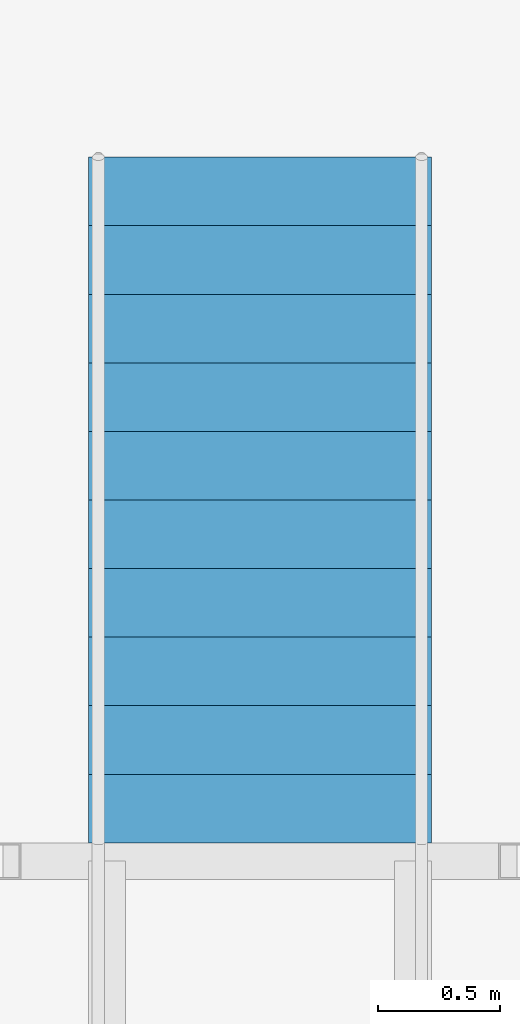
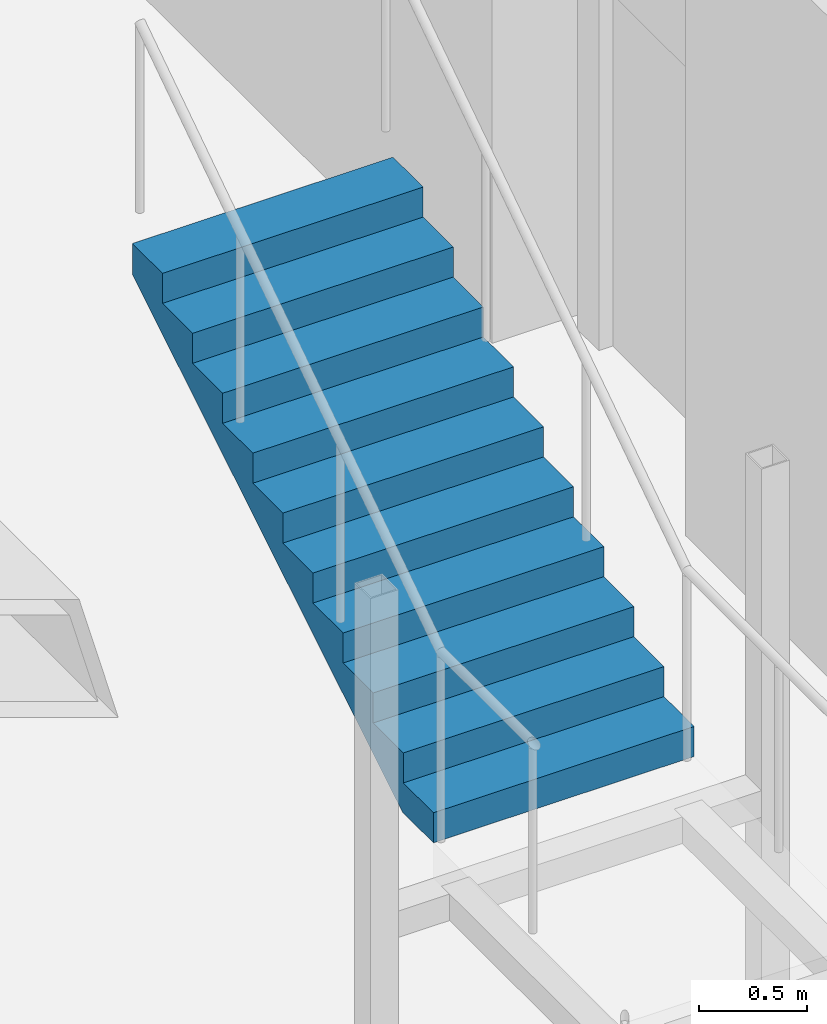
# One storey, part 27 of 28: 1 stair flight, 1 element without a shape of its own.
"""IFC4 building model written with IfcOpenShell, lengths in metres."""

from ifc_helpers import new_model, si_unit, direction, frame, origin, place, context, subcontext, project, spatial, triangles, material, type_object, element, aggregate, save


model = new_model("IFC4")

# Units and contexts
model_context = context("Model", 3, precision=1e-05, world=origin(), true_north=direction((0.0, 1.0)))
body_context = subcontext(model_context, "Body", "Model", "MODEL_VIEW")
ifc_project = project(units=[si_unit("LENGTHUNIT", "METRE"), si_unit("AREAUNIT", "SQUARE_METRE"), si_unit("VOLUMEUNIT", "CUBIC_METRE"), si_unit("PLANEANGLEUNIT", "RADIAN"), si_unit("MASSUNIT", "GRAM", prefix="KILO")], contexts=[model_context])

# Site, building, storey
site_placement = place(None, origin())
site = spatial("IfcSite", under=ifc_project, at=site_placement, CompositionType="ELEMENT")
building_placement = place(site_placement, origin())
building = spatial("IfcBuilding", under=site, at=building_placement, Name="Orbita Commons", CompositionType="ELEMENT")
storey_placement = place(building_placement, frame((0.0, 0.0, 23.949951171875)))
storey = spatial("IfcBuildingStorey", under=building, at=storey_placement, Name="L05", CompositionType="ELEMENT", Elevation=23.949951171875)

# Stair, stair flight
ifc_material_1 = material(Name="Steel ASTM A992 stringers, precast concrete C40/50 terrazzo treads", Category="concrete")
stair_type = type_object("IfcStairType", Name="Feature stair 22 risers 170 x 280 x 1400", PredefinedType="STRAIGHT_RUN_STAIR", material=ifc_material_1)
stair_placement = place(storey_placement, origin())
stair = element("IfcStair", 1, at=stair_placement, inside=storey, type_object=stair_type, Name="Neighbourhood stair L05 to L06", PredefinedType="STRAIGHT_RUN_STAIR")
ifc_material_2 = material(Name="Steel ASTM A992 stringers, precast concrete C40/50 terrazzo treads", Category="concrete")
stair_flight_type = type_object("IfcStairFlightType", Name="Feature stair flight 11 risers 170 x 1400", PredefinedType="STRAIGHT", material=ifc_material_2)
stair_flight_placement = place(storey_placement, frame((8.60009765625, 45.31005859375, 1.875), z_axis=(0.0, 0.0, 1.0), x_axis=(0.0, 1.0, 0.0)))
stair_flight = element("IfcStairFlight", 2, at=stair_flight_placement, type_object=stair_flight_type, Name="FS flight 2", NumberOfRisers=11, NumberOfTreads=10, PredefinedType="STRAIGHT", RiserHeight=0.170454545, TreadLength=0.28, context=body_context, shape_type="Tessellation", body=[
    triangles([(0.0, 0.699951, 0.0), (0.0, 0.699951, 0.021307), (0.0, 0.583293, 0.021307), (0.0, 0.583293, 0.0), (0.0, 0.466634, 0.021307), (0.0, 0.466634, 0.0), (0.0, 0.349976, 0.021307), (0.0, 0.349976, 0.0), (0.0, 0.233317, 0.021307), (0.0, 0.233317, 0.0), (0.0, 0.116659, 0.021307), (0.0, 0.116659, 0.0), (0.0, 0.0, 0.021307), (0.0, 0.0, 0.0), (0.0, -0.116659, 0.021307), (0.0, -0.116659, 0.0), (0.0, -0.233317, 0.021307), (0.0, -0.233317, 0.0), (0.0, -0.349976, 0.021307), (0.0, -0.349976, 0.0), (0.0, -0.466634, 0.021307), (0.0, -0.466634, 0.0), (0.0, -0.583293, 0.021307), (0.0, -0.583293, 0.0), (0.0, -0.699951, 0.021307), (0.0, -0.699951, 0.0), (0.0, 0.699951, 0.042614), (0.0, 0.583293, 0.042614), (0.0, 0.466634, 0.042614), (0.0, 0.349976, 0.042614), (0.0, 0.233317, 0.042614), (0.0, 0.116659, 0.042614), (0.0, 0.0, 0.042614), (0.0, -0.116659, 0.042614), (0.0, -0.233317, 0.042614), (0.0, -0.349976, 0.042614), (0.0, -0.466634, 0.042614), (0.0, -0.583293, 0.042614), (0.0, -0.699951, 0.042614), (0.0, 0.699951, 0.06392), (0.0, 0.583293, 0.06392), (0.0, 0.466634, 0.06392), (0.0, 0.349976, 0.06392), (0.0, 0.233317, 0.06392), (0.0, 0.116659, 0.06392), (0.0, 0.0, 0.06392), (0.0, -0.116659, 0.06392), (0.0, -0.233317, 0.06392), (0.0, -0.349976, 0.06392), (0.0, -0.466634, 0.06392), (0.0, -0.583293, 0.06392), (0.0, -0.699951, 0.06392), (0.0, 0.699951, 0.085227), (0.0, 0.583293, 0.085227), (0.0, 0.466634, 0.085227), (0.0, 0.349976, 0.085227), (0.0, 0.233317, 0.085227), (0.0, 0.116659, 0.085227), (0.0, 0.0, 0.085227), (0.0, -0.116659, 0.085227), (0.0, -0.233317, 0.085227), (0.0, -0.349976, 0.085227), (0.0, -0.466634, 0.085227), (0.0, -0.583293, 0.085227), (0.0, -0.699951, 0.085227), (0.0, 0.699951, 0.106534), (0.0, 0.583293, 0.106534), (0.0, 0.466634, 0.106534), (0.0, 0.349976, 0.106534), (0.0, 0.233317, 0.106534), (0.0, 0.116659, 0.106534), (0.0, 0.0, 0.106534), (0.0, -0.116659, 0.106534), (0.0, -0.233317, 0.106534), (0.0, -0.349976, 0.106534), (0.0, -0.466634, 0.106534), (0.0, -0.583293, 0.106534), (0.0, -0.699951, 0.106534), (0.0, 0.699951, 0.127841), (0.0, 0.583293, 0.127841), (0.0, 0.466634, 0.127841), (0.0, 0.349976, 0.127841), (0.0, 0.233317, 0.127841), (0.0, 0.116659, 0.127841), (0.0, 0.0, 0.127841), (0.0, -0.116659, 0.127841), (0.0, -0.233317, 0.127841), (0.0, -0.349976, 0.127841), (0.0, -0.466634, 0.127841), (0.0, -0.583293, 0.127841), (0.0, -0.699951, 0.127841), (0.0, 0.699951, 0.149148), (0.0, 0.583293, 0.149148), (0.0, 0.466634, 0.149148), (0.0, 0.349976, 0.149148), (0.0, 0.233317, 0.149148), (0.0, 0.116659, 0.149148), (0.0, 0.0, 0.149148), (0.0, -0.116659, 0.149148), (0.0, -0.233317, 0.149148), (0.0, -0.349976, 0.149148), (0.0, -0.466634, 0.149148), (0.0, -0.583293, 0.149148), (0.0, -0.699951, 0.149148), (0.0, 0.699951, 0.170455), (0.0, 0.583293, 0.170455), (0.0, 0.466634, 0.170455), (0.0, 0.349976, 0.170455), (0.0, 0.233317, 0.170455), (0.0, 0.116659, 0.170455), (0.0, 0.0, 0.170455), (0.0, -0.116659, 0.170455), (0.0, -0.233317, 0.170455), (0.0, -0.349976, 0.170455), (0.0, -0.466634, 0.170455), (0.0, -0.583293, 0.170455), (0.0, -0.699951, 0.170455), (0.28, 0.699951, 0.170455), (0.28, 0.583293, 0.170455), (0.28, 0.466634, 0.170455), (0.28, 0.349976, 0.170455), (0.28, 0.233317, 0.170455), (0.28, 0.116659, 0.170455), (0.28, 0.0, 0.170455), (0.28, -0.116659, 0.170455), (0.28, -0.233317, 0.170455), (0.28, -0.349976, 0.170455), (0.28, -0.466634, 0.170455), (0.28, -0.583293, 0.170455), (0.28, -0.699951, 0.170455), (0.28, 0.699951, 0.340909), (0.28, 0.583293, 0.340909), (0.28, 0.466634, 0.340909), (0.28, 0.349976, 0.340909), (0.28, 0.233317, 0.340909), (0.28, 0.116659, 0.340909), (0.28, 0.0, 0.340909), (0.28, -0.116659, 0.340909), (0.28, -0.233317, 0.340909), (0.28, -0.349976, 0.340909), (0.28, -0.466634, 0.340909), (0.28, -0.583293, 0.340909), (0.28, -0.699951, 0.340909), (0.56, 0.699951, 0.340909), (0.56, 0.583293, 0.340909), (0.56, 0.466634, 0.340909), (0.56, 0.349976, 0.340909), (0.56, 0.233317, 0.340909), (0.56, 0.116659, 0.340909), (0.56, 0.0, 0.340909), (0.56, -0.116659, 0.340909), (0.56, -0.233317, 0.340909), (0.56, -0.349976, 0.340909), (0.56, -0.466634, 0.340909), (0.56, -0.583293, 0.340909), (0.56, -0.699951, 0.340909), (0.56, 0.699951, 0.511364), (0.56, 0.583293, 0.511364), (0.56, 0.466634, 0.511364), (0.56, 0.349976, 0.511364), (0.56, 0.233317, 0.511364), (0.56, 0.116659, 0.511364), (0.56, 0.0, 0.511364), (0.56, -0.116659, 0.511364), (0.56, -0.233317, 0.511364), (0.56, -0.349976, 0.511364), (0.56, -0.466634, 0.511364), (0.56, -0.583293, 0.511364), (0.56, -0.699951, 0.511364), (0.84, 0.699951, 0.511364), (0.84, 0.583293, 0.511364), (0.84, 0.466634, 0.511364), (0.84, 0.349976, 0.511364), (0.84, 0.233317, 0.511364), (0.84, 0.116659, 0.511364), (0.84, 0.0, 0.511364), (0.84, -0.116659, 0.511364), (0.84, -0.233317, 0.511364), (0.84, -0.349976, 0.511364), (0.84, -0.466634, 0.511364), (0.84, -0.583293, 0.511364), (0.84, -0.699951, 0.511364), (0.84, 0.699951, 0.681818), (0.84, 0.583293, 0.681818), (0.84, 0.466634, 0.681818), (0.84, 0.349976, 0.681818), (0.84, 0.233317, 0.681818), (0.84, 0.116659, 0.681818), (0.84, 0.0, 0.681818), (0.84, -0.116659, 0.681818), (0.84, -0.233317, 0.681818), (0.84, -0.349976, 0.681818), (0.84, -0.466634, 0.681818), (0.84, -0.583293, 0.681818), (0.84, -0.699951, 0.681818), (1.12, 0.699951, 0.681818), (1.12, 0.583293, 0.681818), (1.12, 0.466634, 0.681818), (1.12, 0.349976, 0.681818), (1.12, 0.233317, 0.681818), (1.12, 0.116659, 0.681818), (1.12, 0.0, 0.681818), (1.12, -0.116659, 0.681818), (1.12, -0.233317, 0.681818), (1.12, -0.349976, 0.681818), (1.12, -0.466634, 0.681818), (1.12, -0.583293, 0.681818), (1.12, -0.699951, 0.681818), (1.12, 0.699951, 0.852273), (1.12, 0.583293, 0.852273), (1.12, 0.466634, 0.852273), (1.12, 0.349976, 0.852273), (1.12, 0.233317, 0.852273), (1.12, 0.116659, 0.852273), (1.12, 0.0, 0.852273), (1.12, -0.116659, 0.852273), (1.12, -0.233317, 0.852273), (1.12, -0.349976, 0.852273), (1.12, -0.466634, 0.852273), (1.12, -0.583293, 0.852273), (1.12, -0.699951, 0.852273), (1.4, 0.699951, 0.852273), (1.4, 0.583293, 0.852273), (1.4, 0.466634, 0.852273), (1.4, 0.349976, 0.852273), (1.4, 0.233317, 0.852273), (1.4, 0.116659, 0.852273), (1.4, 0.0, 0.852273), (1.4, -0.116659, 0.852273), (1.4, -0.233317, 0.852273), (1.4, -0.349976, 0.852273), (1.4, -0.466634, 0.852273), (1.4, -0.583293, 0.852273), (1.4, -0.699951, 0.852273), (1.4, 0.699951, 1.022727), (1.4, 0.583293, 1.022727), (1.4, 0.466634, 1.022727), (1.4, 0.349976, 1.022727), (1.4, 0.233317, 1.022727), (1.4, 0.116659, 1.022727), (1.4, 0.0, 1.022727), (1.4, -0.116659, 1.022727), (1.4, -0.233317, 1.022727), (1.4, -0.349976, 1.022727), (1.4, -0.466634, 1.022727), (1.4, -0.583293, 1.022727), (1.4, -0.699951, 1.022727), (1.68, 0.699951, 1.022727), (1.68, 0.583293, 1.022727), (1.68, 0.466634, 1.022727), (1.68, 0.349976, 1.022727), (1.68, 0.233317, 1.022727), (1.68, 0.116659, 1.022727), (1.68, 0.0, 1.022727), (1.68, -0.116659, 1.022727), (1.68, -0.233317, 1.022727), (1.68, -0.349976, 1.022727), (1.68, -0.466634, 1.022727), (1.68, -0.583293, 1.022727), (1.68, -0.699951, 1.022727), (1.68, 0.699951, 1.193182), (1.68, 0.583293, 1.193182), (1.68, 0.466634, 1.193182), (1.68, 0.349976, 1.193182), (1.68, 0.233317, 1.193182), (1.68, 0.116659, 1.193182), (1.68, 0.0, 1.193182), (1.68, -0.116659, 1.193182), (1.68, -0.233317, 1.193182), (1.68, -0.349976, 1.193182), (1.68, -0.466634, 1.193182), (1.68, -0.583293, 1.193182), (1.68, -0.699951, 1.193182), (1.96, 0.699951, 1.193182), (1.96, 0.583293, 1.193182), (1.96, 0.466634, 1.193182), (1.96, 0.349976, 1.193182), (1.96, 0.233317, 1.193182), (1.96, 0.116659, 1.193182), (1.96, 0.0, 1.193182), (1.96, -0.116659, 1.193182), (1.96, -0.233317, 1.193182), (1.96, -0.349976, 1.193182), (1.96, -0.466634, 1.193182), (1.96, -0.583293, 1.193182), (1.96, -0.699951, 1.193182), (1.96, 0.699951, 1.363636), (1.96, 0.583293, 1.363636), (1.96, 0.466634, 1.363636), (1.96, 0.349976, 1.363636), (1.96, 0.233317, 1.363636), (1.96, 0.116659, 1.363636), (1.96, 0.0, 1.363636), (1.96, -0.116659, 1.363636), (1.96, -0.233317, 1.363636), (1.96, -0.349976, 1.363636), (1.96, -0.466634, 1.363636), (1.96, -0.583293, 1.363636), (1.96, -0.699951, 1.363636), (2.24, 0.699951, 1.363636), (2.24, 0.583293, 1.363636), (2.24, 0.466634, 1.363636), (2.24, 0.349976, 1.363636), (2.24, 0.233317, 1.363636), (2.24, 0.116659, 1.363636), (2.24, 0.0, 1.363636), (2.24, -0.116659, 1.363636), (2.24, -0.233317, 1.363636), (2.24, -0.349976, 1.363636), (2.24, -0.466634, 1.363636), (2.24, -0.583293, 1.363636), (2.24, -0.699951, 1.363636), (2.24, 0.699951, 1.534091), (2.24, 0.583293, 1.534091), (2.24, 0.466634, 1.534091), (2.24, 0.349976, 1.534091), (2.24, 0.233317, 1.534091), (2.24, 0.116659, 1.534091), (2.24, 0.0, 1.534091), (2.24, -0.116659, 1.534091), (2.24, -0.233317, 1.534091), (2.24, -0.349976, 1.534091), (2.24, -0.466634, 1.534091), (2.24, -0.583293, 1.534091), (2.24, -0.699951, 1.534091), (2.52, 0.699951, 1.534091), (2.52, 0.583293, 1.534091), (2.52, 0.466634, 1.534091), (2.52, 0.349976, 1.534091), (2.52, 0.233317, 1.534091), (2.52, 0.116659, 1.534091), (2.52, 0.0, 1.534091), (2.52, -0.116659, 1.534091), (2.52, -0.233317, 1.534091), (2.52, -0.349976, 1.534091), (2.52, -0.466634, 1.534091), (2.52, -0.583293, 1.534091), (2.52, -0.699951, 1.534091), (2.52, 0.699951, 1.704545), (2.52, 0.583293, 1.704545), (2.52, 0.466634, 1.704545), (2.52, 0.349976, 1.704545), (2.52, 0.233317, 1.704545), (2.52, 0.116659, 1.704545), (2.52, 0.0, 1.704545), (2.52, -0.116659, 1.704545), (2.52, -0.233317, 1.704545), (2.52, -0.349976, 1.704545), (2.52, -0.466634, 1.704545), (2.52, -0.583293, 1.704545), (2.52, -0.699951, 1.704545), (2.8, 0.699951, 1.704545), (2.8, 0.583293, 1.704545), (2.8, 0.466634, 1.704545), (2.8, 0.349976, 1.704545), (2.8, 0.233317, 1.704545), (2.8, 0.116659, 1.704545), (2.8, 0.0, 1.704545), (2.8, -0.116659, 1.704545), (2.8, -0.233317, 1.704545), (2.8, -0.349976, 1.704545), (2.8, -0.466634, 1.704545), (2.8, -0.583293, 1.704545), (2.8, -0.699951, 1.704545), (2.8, 0.699951, 1.682609), (2.8, 0.583293, 1.682609), (2.8, 0.466634, 1.682609), (2.8, 0.349976, 1.682609), (2.8, 0.233317, 1.682609), (2.8, 0.116659, 1.682609), (2.8, 0.0, 1.682609), (2.8, -0.116659, 1.682609), (2.8, -0.233317, 1.682609), (2.8, -0.349976, 1.682609), (2.8, -0.466634, 1.682609), (2.8, -0.583293, 1.682609), (2.8, -0.699951, 1.682609), (2.8, 0.699951, 1.660672), (2.8, 0.583293, 1.660672), (2.8, 0.466634, 1.660672), (2.8, 0.349976, 1.660672), (2.8, 0.233317, 1.660672), (2.8, 0.116659, 1.660672), (2.8, 0.0, 1.660672), (2.8, -0.116659, 1.660672), (2.8, -0.233317, 1.660672), (2.8, -0.349976, 1.660672), (2.8, -0.466634, 1.660672), (2.8, -0.583293, 1.660672), (2.8, -0.699951, 1.660672), (2.8, 0.699951, 1.638735), (2.8, 0.583293, 1.638735), (2.8, 0.466634, 1.638735), (2.8, 0.349976, 1.638735), (2.8, 0.233317, 1.638735), (2.8, 0.116659, 1.638735), (2.8, 0.0, 1.638735), (2.8, -0.116659, 1.638735), (2.8, -0.233317, 1.638735), (2.8, -0.349976, 1.638735), (2.8, -0.466634, 1.638735), (2.8, -0.583293, 1.638735), (2.8, -0.699951, 1.638735), (2.8, 0.699951, 1.616798), (2.8, 0.583293, 1.616798), (2.8, 0.466634, 1.616798), (2.8, 0.349976, 1.616798), (2.8, 0.233317, 1.616798), (2.8, 0.116659, 1.616798), (2.8, 0.0, 1.616798), (2.8, -0.116659, 1.616798), (2.8, -0.233317, 1.616798), (2.8, -0.349976, 1.616798), (2.8, -0.466634, 1.616798), (2.8, -0.583293, 1.616798), (2.8, -0.699951, 1.616798), (2.8, 0.699951, 1.594861), (2.8, 0.583293, 1.594861), (2.8, 0.466634, 1.594861), (2.8, 0.349976, 1.594861), (2.8, 0.233317, 1.594861), (2.8, 0.116659, 1.594861), (2.8, 0.0, 1.594861), (2.8, -0.116659, 1.594861), (2.8, -0.233317, 1.594861), (2.8, -0.349976, 1.594861), (2.8, -0.466634, 1.594861), (2.8, -0.583293, 1.594861), (2.8, -0.699951, 1.594861), (2.8, 0.699951, 1.572925), (2.8, 0.583293, 1.572925), (2.8, 0.466634, 1.572925), (2.8, 0.349976, 1.572925), (2.8, 0.233317, 1.572925), (2.8, 0.116659, 1.572925), (2.8, 0.0, 1.572925), (2.8, -0.116659, 1.572925), (2.8, -0.233317, 1.572925), (2.8, -0.349976, 1.572925), (2.8, -0.466634, 1.572925), (2.8, -0.583293, 1.572925), (2.8, -0.699951, 1.572925), (2.8, 0.699951, 1.550988), (2.8, 0.583293, 1.550988), (2.8, 0.466634, 1.550988), (2.8, 0.349976, 1.550988), (2.8, 0.233317, 1.550988), (2.8, 0.116659, 1.550988), (2.8, 0.0, 1.550988), (2.8, -0.116659, 1.550988), (2.8, -0.233317, 1.550988), (2.8, -0.349976, 1.550988), (2.8, -0.466634, 1.550988), (2.8, -0.583293, 1.550988), (2.8, -0.699951, 1.550988), (2.8, 0.699951, 1.529051), (2.8, 0.583293, 1.529051), (2.8, 0.466634, 1.529051), (2.8, 0.349976, 1.529051), (2.8, 0.233317, 1.529051), (2.8, 0.116659, 1.529051), (2.8, 0.0, 1.529051), (2.8, -0.116659, 1.529051), (2.8, -0.233317, 1.529051), (2.8, -0.349976, 1.529051), (2.8, -0.466634, 1.529051), (2.8, -0.583293, 1.529051), (2.8, -0.699951, 1.529051), (0.288279, 0.699951, 0.0), (0.288279, 0.583293, 0.0), (0.288279, 0.466634, 0.0), (0.288279, 0.349976, 0.0), (0.288279, 0.233317, 0.0), (0.288279, 0.116659, 0.0), (0.288279, 0.0, 0.0), (0.288279, -0.116659, 0.0), (0.288279, -0.233317, 0.0), (0.288279, -0.349976, 0.0), (0.288279, -0.466634, 0.0), (0.288279, -0.583293, 0.0), (0.288279, -0.699951, 0.0)], [[3, 2, 1], [4, 3, 1], [5, 3, 4], [6, 5, 4], [7, 5, 6], [8, 7, 6], [9, 7, 8], [10, 9, 8], [11, 9, 10], [12, 11, 10], [13, 11, 12], [14, 13, 12], [15, 13, 14], [16, 15, 14], [17, 15, 16], [18, 17, 16], [19, 17, 18], [20, 19, 18], [21, 19, 20], [22, 21, 20], [23, 21, 22], [24, 23, 22], [25, 23, 24], [26, 25, 24], [28, 27, 2], [3, 28, 2], [29, 28, 3], [5, 29, 3], [30, 29, 5], [7, 30, 5], [31, 30, 7], [9, 31, 7], [32, 31, 9], [11, 32, 9], [33, 32, 11], [13, 33, 11], [34, 33, 13], [15, 34, 13], [35, 34, 15], [17, 35, 15], [36, 35, 17], [19, 36, 17], [37, 36, 19], [21, 37, 19], [38, 37, 21], [23, 38, 21], [39, 38, 23], [25, 39, 23], [41, 40, 27], [28, 41, 27], [42, 41, 28], [29, 42, 28], [43, 42, 29], [30, 43, 29], [44, 43, 30], [31, 44, 30], [45, 44, 31], [32, 45, 31], [46, 45, 32], [33, 46, 32], [47, 46, 33], [34, 47, 33], [48, 47, 34], [35, 48, 34], [49, 48, 35], [36, 49, 35], [50, 49, 36], [37, 50, 36], [51, 50, 37], [38, 51, 37], [52, 51, 38], [39, 52, 38], [54, 53, 40], [41, 54, 40], [55, 54, 41], [42, 55, 41], [56, 55, 42], [43, 56, 42], [57, 56, 43], [44, 57, 43], [58, 57, 44], [45, 58, 44], [59, 58, 45], [46, 59, 45], [60, 59, 46], [47, 60, 46], [61, 60, 47], [48, 61, 47], [62, 61, 48], [49, 62, 48], [63, 62, 49], [50, 63, 49], [64, 63, 50], [51, 64, 50], [65, 64, 51], [52, 65, 51], [67, 66, 53], [54, 67, 53], [68, 67, 54], [55, 68, 54], [69, 68, 55], [56, 69, 55], [70, 69, 56], [57, 70, 56], [71, 70, 57], [58, 71, 57], [72, 71, 58], [59, 72, 58], [73, 72, 59], [60, 73, 59], [74, 73, 60], [61, 74, 60], [75, 74, 61], [62, 75, 61], [76, 75, 62], [63, 76, 62], [77, 76, 63], [64, 77, 63], [78, 77, 64], [65, 78, 64], [80, 79, 66], [67, 80, 66], [81, 80, 67], [68, 81, 67], [82, 81, 68], [69, 82, 68], [83, 82, 69], [70, 83, 69], [84, 83, 70], [71, 84, 70], [85, 84, 71], [72, 85, 71], [86, 85, 72], [73, 86, 72], [87, 86, 73], [74, 87, 73], [88, 87, 74], [75, 88, 74], [89, 88, 75], [76, 89, 75], [90, 89, 76], [77, 90, 76], [91, 90, 77], [78, 91, 77], [93, 92, 79], [80, 93, 79], [94, 93, 80], [81, 94, 80], [95, 94, 81], [82, 95, 81], [96, 95, 82], [83, 96, 82], [97, 96, 83], [84, 97, 83], [98, 97, 84], [85, 98, 84], [99, 98, 85], [86, 99, 85], [100, 99, 86], [87, 100, 86], [101, 100, 87], [88, 101, 87], [102, 101, 88], [89, 102, 88], [103, 102, 89], [90, 103, 89], [104, 103, 90], [91, 104, 90], [106, 105, 92], [93, 106, 92], [107, 106, 93], [94, 107, 93], [108, 107, 94], [95, 108, 94], [109, 108, 95], [96, 109, 95], [110, 109, 96], [97, 110, 96], [111, 110, 97], [98, 111, 97], [112, 111, 98], [99, 112, 98], [113, 112, 99], [100, 113, 99], [114, 113, 100], [101, 114, 100], [115, 114, 101], [102, 115, 101], [116, 115, 102], [103, 116, 102], [117, 116, 103], [104, 117, 103], [119, 118, 105], [106, 119, 105], [120, 119, 106], [107, 120, 106], [121, 120, 107], [108, 121, 107], [122, 121, 108], [109, 122, 108], [123, 122, 109], [110, 123, 109], [124, 123, 110], [111, 124, 110], [125, 124, 111], [112, 125, 111], [126, 125, 112], [113, 126, 112], [127, 126, 113], [114, 127, 113], [128, 127, 114], [115, 128, 114], [129, 128, 115], [116, 129, 115], [130, 129, 116], [117, 130, 116], [132, 131, 118], [119, 132, 118], [133, 132, 119], [120, 133, 119], [134, 133, 120], [121, 134, 120], [135, 134, 121], [122, 135, 121], [136, 135, 122], [123, 136, 122], [137, 136, 123], [124, 137, 123], [138, 137, 124], [125, 138, 124], [139, 138, 125], [126, 139, 125], [140, 139, 126], [127, 140, 126], [141, 140, 127], [128, 141, 127], [142, 141, 128], [129, 142, 128], [143, 142, 129], [130, 143, 129], [145, 144, 131], [132, 145, 131], [146, 145, 132], [133, 146, 132], [147, 146, 133], [134, 147, 133], [148, 147, 134], [135, 148, 134], [149, 148, 135], [136, 149, 135], [150, 149, 136], [137, 150, 136], [151, 150, 137], [138, 151, 137], [152, 151, 138], [139, 152, 138], [153, 152, 139], [140, 153, 139], [154, 153, 140], [141, 154, 140], [155, 154, 141], [142, 155, 141], [156, 155, 142], [143, 156, 142], [158, 157, 144], [145, 158, 144], [159, 158, 145], [146, 159, 145], [160, 159, 146], [147, 160, 146], [161, 160, 147], [148, 161, 147], [162, 161, 148], [149, 162, 148], [163, 162, 149], [150, 163, 149], [164, 163, 150], [151, 164, 150], [165, 164, 151], [152, 165, 151], [166, 165, 152], [153, 166, 152], [167, 166, 153], [154, 167, 153], [168, 167, 154], [155, 168, 154], [169, 168, 155], [156, 169, 155], [171, 170, 157], [158, 171, 157], [172, 171, 158], [159, 172, 158], [173, 172, 159], [160, 173, 159], [174, 173, 160], [161, 174, 160], [175, 174, 161], [162, 175, 161], [176, 175, 162], [163, 176, 162], [177, 176, 163], [164, 177, 163], [178, 177, 164], [165, 178, 164], [179, 178, 165], [166, 179, 165], [180, 179, 166], [167, 180, 166], [181, 180, 167], [168, 181, 167], [182, 181, 168], [169, 182, 168], [184, 183, 170], [171, 184, 170], [185, 184, 171], [172, 185, 171], [186, 185, 172], [173, 186, 172], [187, 186, 173], [174, 187, 173], [188, 187, 174], [175, 188, 174], [189, 188, 175], [176, 189, 175], [190, 189, 176], [177, 190, 176], [191, 190, 177], [178, 191, 177], [192, 191, 178], [179, 192, 178], [193, 192, 179], [180, 193, 179], [194, 193, 180], [181, 194, 180], [195, 194, 181], [182, 195, 181], [197, 196, 183], [184, 197, 183], [198, 197, 184], [185, 198, 184], [199, 198, 185], [186, 199, 185], [200, 199, 186], [187, 200, 186], [201, 200, 187], [188, 201, 187], [202, 201, 188], [189, 202, 188], [203, 202, 189], [190, 203, 189], [204, 203, 190], [191, 204, 190], [205, 204, 191], [192, 205, 191], [206, 205, 192], [193, 206, 192], [207, 206, 193], [194, 207, 193], [208, 207, 194], [195, 208, 194], [210, 209, 196], [197, 210, 196], [211, 210, 197], [198, 211, 197], [212, 211, 198], [199, 212, 198], [213, 212, 199], [200, 213, 199], [214, 213, 200], [201, 214, 200], [215, 214, 201], [202, 215, 201], [216, 215, 202], [203, 216, 202], [217, 216, 203], [204, 217, 203], [218, 217, 204], [205, 218, 204], [219, 218, 205], [206, 219, 205], [220, 219, 206], [207, 220, 206], [221, 220, 207], [208, 221, 207], [223, 222, 209], [210, 223, 209], [224, 223, 210], [211, 224, 210], [225, 224, 211], [212, 225, 211], [226, 225, 212], [213, 226, 212], [227, 226, 213], [214, 227, 213], [228, 227, 214], [215, 228, 214], [229, 228, 215], [216, 229, 215], [230, 229, 216], [217, 230, 216], [231, 230, 217], [218, 231, 217], [232, 231, 218], [219, 232, 218], [233, 232, 219], [220, 233, 219], [234, 233, 220], [221, 234, 220], [236, 235, 222], [223, 236, 222], [237, 236, 223], [224, 237, 223], [238, 237, 224], [225, 238, 224], [239, 238, 225], [226, 239, 225], [240, 239, 226], [227, 240, 226], [241, 240, 227], [228, 241, 227], [242, 241, 228], [229, 242, 228], [243, 242, 229], [230, 243, 229], [244, 243, 230], [231, 244, 230], [245, 244, 231], [232, 245, 231], [246, 245, 232], [233, 246, 232], [247, 246, 233], [234, 247, 233], [249, 248, 235], [236, 249, 235], [250, 249, 236], [237, 250, 236], [251, 250, 237], [238, 251, 237], [252, 251, 238], [239, 252, 238], [253, 252, 239], [240, 253, 239], [254, 253, 240], [241, 254, 240], [255, 254, 241], [242, 255, 241], [256, 255, 242], [243, 256, 242], [257, 256, 243], [244, 257, 243], [258, 257, 244], [245, 258, 244], [259, 258, 245], [246, 259, 245], [260, 259, 246], [247, 260, 246], [262, 261, 248], [249, 262, 248], [263, 262, 249], [250, 263, 249], [264, 263, 250], [251, 264, 250], [265, 264, 251], [252, 265, 251], [266, 265, 252], [253, 266, 252], [267, 266, 253], [254, 267, 253], [268, 267, 254], [255, 268, 254], [269, 268, 255], [256, 269, 255], [270, 269, 256], [257, 270, 256], [271, 270, 257], [258, 271, 257], [272, 271, 258], [259, 272, 258], [273, 272, 259], [260, 273, 259], [275, 274, 261], [262, 275, 261], [276, 275, 262], [263, 276, 262], [277, 276, 263], [264, 277, 263], [278, 277, 264], [265, 278, 264], [279, 278, 265], [266, 279, 265], [280, 279, 266], [267, 280, 266], [281, 280, 267], [268, 281, 267], [282, 281, 268], [269, 282, 268], [283, 282, 269], [270, 283, 269], [284, 283, 270], [271, 284, 270], [285, 284, 271], [272, 285, 271], [286, 285, 272], [273, 286, 272], [288, 287, 274], [275, 288, 274], [289, 288, 275], [276, 289, 275], [290, 289, 276], [277, 290, 276], [291, 290, 277], [278, 291, 277], [292, 291, 278], [279, 292, 278], [293, 292, 279], [280, 293, 279], [294, 293, 280], [281, 294, 280], [295, 294, 281], [282, 295, 281], [296, 295, 282], [283, 296, 282], [297, 296, 283], [284, 297, 283], [298, 297, 284], [285, 298, 284], [299, 298, 285], [286, 299, 285], [301, 300, 287], [288, 301, 287], [302, 301, 288], [289, 302, 288], [303, 302, 289], [290, 303, 289], [304, 303, 290], [291, 304, 290], [305, 304, 291], [292, 305, 291], [306, 305, 292], [293, 306, 292], [307, 306, 293], [294, 307, 293], [308, 307, 294], [295, 308, 294], [309, 308, 295], [296, 309, 295], [310, 309, 296], [297, 310, 296], [311, 310, 297], [298, 311, 297], [312, 311, 298], [299, 312, 298], [314, 313, 300], [301, 314, 300], [315, 314, 301], [302, 315, 301], [316, 315, 302], [303, 316, 302], [317, 316, 303], [304, 317, 303], [318, 317, 304], [305, 318, 304], [319, 318, 305], [306, 319, 305], [320, 319, 306], [307, 320, 306], [321, 320, 307], [308, 321, 307], [322, 321, 308], [309, 322, 308], [323, 322, 309], [310, 323, 309], [324, 323, 310], [311, 324, 310], [325, 324, 311], [312, 325, 311], [327, 326, 313], [314, 327, 313], [328, 327, 314], [315, 328, 314], [329, 328, 315], [316, 329, 315], [330, 329, 316], [317, 330, 316], [331, 330, 317], [318, 331, 317], [332, 331, 318], [319, 332, 318], [333, 332, 319], [320, 333, 319], [334, 333, 320], [321, 334, 320], [335, 334, 321], [322, 335, 321], [336, 335, 322], [323, 336, 322], [337, 336, 323], [324, 337, 323], [338, 337, 324], [325, 338, 324], [340, 339, 326], [327, 340, 326], [341, 340, 327], [328, 341, 327], [342, 341, 328], [329, 342, 328], [343, 342, 329], [330, 343, 329], [344, 343, 330], [331, 344, 330], [345, 344, 331], [332, 345, 331], [346, 345, 332], [333, 346, 332], [347, 346, 333], [334, 347, 333], [348, 347, 334], [335, 348, 334], [349, 348, 335], [336, 349, 335], [350, 349, 336], [337, 350, 336], [351, 350, 337], [338, 351, 337], [353, 352, 339], [340, 353, 339], [354, 353, 340], [341, 354, 340], [355, 354, 341], [342, 355, 341], [356, 355, 342], [343, 356, 342], [357, 356, 343], [344, 357, 343], [358, 357, 344], [345, 358, 344], [359, 358, 345], [346, 359, 345], [360, 359, 346], [347, 360, 346], [361, 360, 347], [348, 361, 347], [362, 361, 348], [349, 362, 348], [363, 362, 349], [350, 363, 349], [364, 363, 350], [351, 364, 350], [366, 365, 352], [353, 366, 352], [367, 366, 353], [354, 367, 353], [368, 367, 354], [355, 368, 354], [369, 368, 355], [356, 369, 355], [370, 369, 356], [357, 370, 356], [371, 370, 357], [358, 371, 357], [372, 371, 358], [359, 372, 358], [373, 372, 359], [360, 373, 359], [374, 373, 360], [361, 374, 360], [375, 374, 361], [362, 375, 361], [376, 375, 362], [363, 376, 362], [377, 376, 363], [364, 377, 363], [379, 378, 365], [366, 379, 365], [380, 379, 366], [367, 380, 366], [381, 380, 367], [368, 381, 367], [382, 381, 368], [369, 382, 368], [383, 382, 369], [370, 383, 369], [384, 383, 370], [371, 384, 370], [385, 384, 371], [372, 385, 371], [386, 385, 372], [373, 386, 372], [387, 386, 373], [374, 387, 373], [388, 387, 374], [375, 388, 374], [389, 388, 375], [376, 389, 375], [390, 389, 376], [377, 390, 376], [392, 391, 378], [379, 392, 378], [393, 392, 379], [380, 393, 379], [394, 393, 380], [381, 394, 380], [395, 394, 381], [382, 395, 381], [396, 395, 382], [383, 396, 382], [397, 396, 383], [384, 397, 383], [398, 397, 384], [385, 398, 384], [399, 398, 385], [386, 399, 385], [400, 399, 386], [387, 400, 386], [401, 400, 387], [388, 401, 387], [402, 401, 388], [389, 402, 388], [403, 402, 389], [390, 403, 389], [405, 404, 391], [392, 405, 391], [406, 405, 392], [393, 406, 392], [407, 406, 393], [394, 407, 393], [408, 407, 394], [395, 408, 394], [409, 408, 395], [396, 409, 395], [410, 409, 396], [397, 410, 396], [411, 410, 397], [398, 411, 397], [412, 411, 398], [399, 412, 398], [413, 412, 399], [400, 413, 399], [414, 413, 400], [401, 414, 400], [415, 414, 401], [402, 415, 401], [416, 415, 402], [403, 416, 402], [418, 417, 404], [405, 418, 404], [419, 418, 405], [406, 419, 405], [420, 419, 406], [407, 420, 406], [421, 420, 407], [408, 421, 407], [422, 421, 408], [409, 422, 408], [423, 422, 409], [410, 423, 409], [424, 423, 410], [411, 424, 410], [425, 424, 411], [412, 425, 411], [426, 425, 412], [413, 426, 412], [427, 426, 413], [414, 427, 413], [428, 427, 414], [415, 428, 414], [429, 428, 415], [416, 429, 415], [431, 430, 417], [418, 431, 417], [432, 431, 418], [419, 432, 418], [433, 432, 419], [420, 433, 419], [434, 433, 420], [421, 434, 420], [435, 434, 421], [422, 435, 421], [436, 435, 422], [423, 436, 422], [437, 436, 423], [424, 437, 423], [438, 437, 424], [425, 438, 424], [439, 438, 425], [426, 439, 425], [440, 439, 426], [427, 440, 426], [441, 440, 427], [428, 441, 427], [442, 441, 428], [429, 442, 428], [444, 443, 430], [431, 444, 430], [445, 444, 431], [432, 445, 431], [446, 445, 432], [433, 446, 432], [447, 446, 433], [434, 447, 433], [448, 447, 434], [435, 448, 434], [449, 448, 435], [436, 449, 435], [450, 449, 436], [437, 450, 436], [451, 450, 437], [438, 451, 437], [452, 451, 438], [439, 452, 438], [453, 452, 439], [440, 453, 439], [454, 453, 440], [441, 454, 440], [455, 454, 441], [442, 455, 441], [457, 456, 443], [444, 457, 443], [458, 457, 444], [445, 458, 444], [459, 458, 445], [446, 459, 445], [460, 459, 446], [447, 460, 446], [461, 460, 447], [448, 461, 447], [462, 461, 448], [449, 462, 448], [463, 462, 449], [450, 463, 449], [464, 463, 450], [451, 464, 450], [465, 464, 451], [452, 465, 451], [466, 465, 452], [453, 466, 452], [467, 466, 453], [454, 467, 453], [468, 467, 454], [455, 468, 454], [470, 469, 456], [457, 470, 456], [471, 470, 457], [458, 471, 457], [472, 471, 458], [459, 472, 458], [473, 472, 459], [460, 473, 459], [474, 473, 460], [461, 474, 460], [475, 474, 461], [462, 475, 461], [476, 475, 462], [463, 476, 462], [477, 476, 463], [464, 477, 463], [478, 477, 464], [465, 478, 464], [479, 478, 465], [466, 479, 465], [480, 479, 466], [467, 480, 466], [481, 480, 467], [468, 481, 467], [4, 1, 469], [470, 4, 469], [6, 4, 470], [471, 6, 470], [8, 6, 471], [472, 8, 471], [10, 8, 472], [473, 10, 472], [12, 10, 473], [474, 12, 473], [14, 12, 474], [475, 14, 474], [16, 14, 475], [476, 16, 475], [18, 16, 476], [477, 18, 476], [20, 18, 477], [478, 20, 477], [22, 20, 478], [479, 22, 478], [24, 22, 479], [480, 24, 479], [26, 24, 480], [481, 26, 480], [456, 469, 1], [26, 481, 468], [443, 456, 1], [26, 468, 455], [430, 443, 1], [26, 455, 442], [417, 430, 1], [26, 442, 429], [404, 417, 1], [26, 429, 416], [391, 404, 1], [26, 416, 403], [378, 391, 1], [26, 403, 390], [365, 378, 1], [26, 390, 377], [339, 352, 365], [377, 364, 351], [326, 339, 365], [377, 351, 338], [300, 313, 326], [338, 325, 312], [300, 326, 365], [377, 338, 312], [274, 287, 300], [312, 299, 286], [274, 300, 365], [377, 312, 286], [248, 261, 274], [286, 273, 260], [248, 274, 365], [377, 286, 260], [222, 235, 248], [260, 247, 234], [222, 248, 365], [377, 260, 234], [196, 209, 222], [234, 221, 208], [196, 222, 365], [377, 234, 208], [170, 183, 196], [208, 195, 182], [170, 196, 365], [377, 208, 182], [144, 157, 170], [182, 169, 156], [144, 170, 365], [377, 182, 156], [118, 131, 144], [156, 143, 130], [118, 144, 365], [377, 156, 130], [118, 365, 1], [26, 377, 130], [92, 105, 118], [130, 117, 104], [79, 92, 118], [130, 104, 91], [66, 79, 118], [130, 91, 78], [53, 66, 118], [130, 78, 65], [40, 53, 118], [130, 65, 52], [27, 40, 118], [130, 52, 39], [2, 27, 118], [130, 39, 25], [1, 2, 118], [130, 25, 26]], closed=True),
])
aggregate(stair, [stair_flight])

save(model, "model.ifc")
